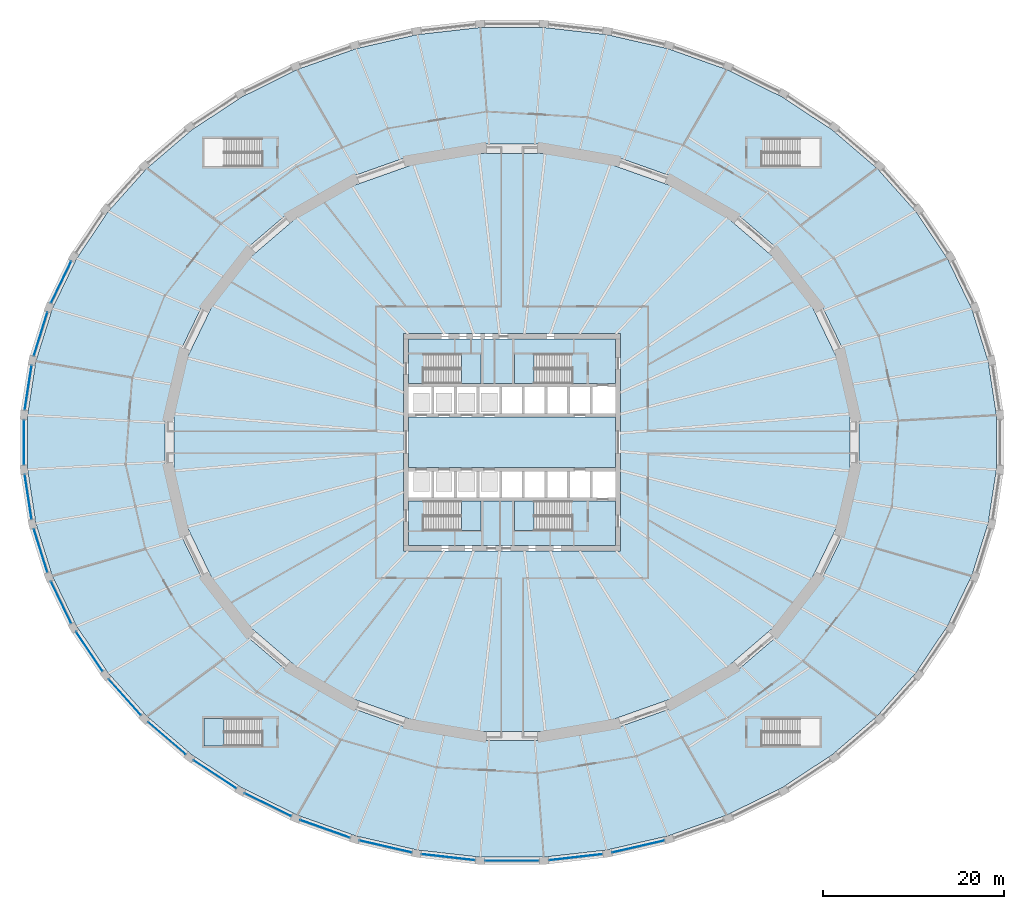
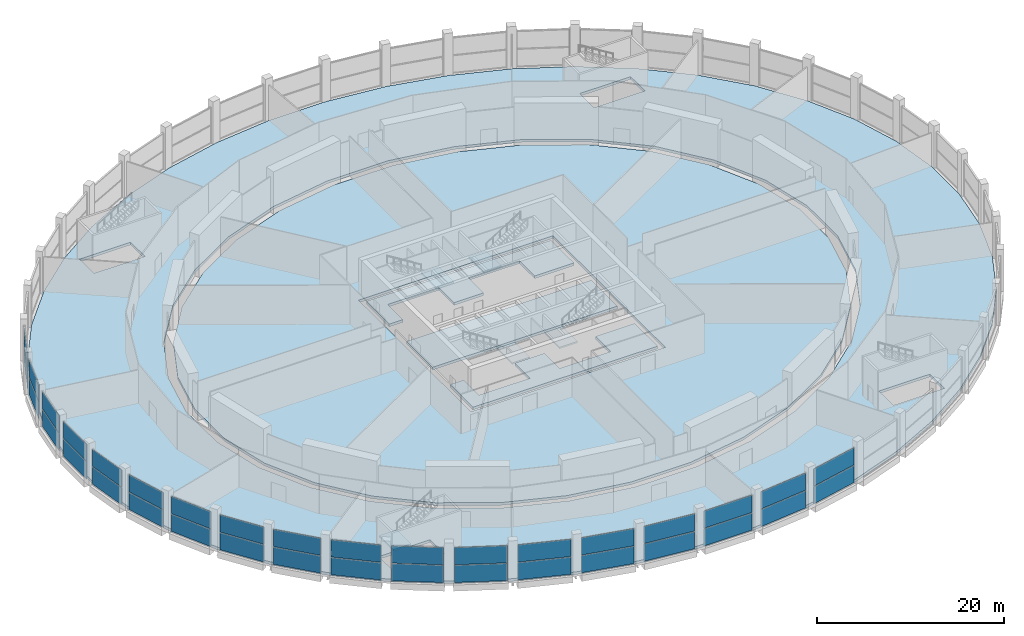
# One storey, part 17 of 29: 36 plates, 10 slabs, 23 elements without a shape of their own.
"""IFC4 building model written with IfcOpenShell, lengths in metres."""

from ifc_helpers import new_model, si_unit, direction, frame, origin, origin_2d, place, context, subcontext, project, spatial, polyline, rectangle, outline, extrude, material, layer, layer_set, type_object, element, aggregate, save


model = new_model("IFC4")

# Units and contexts
model_context = context("Model", 3, precision=1e-05, world=origin(), true_north=direction((0.0, 1.0)))
body_context = subcontext(model_context, "Body", "Model", "MODEL_VIEW")
ifc_project = project(units=[si_unit("LENGTHUNIT", "METRE"), si_unit("AREAUNIT", "SQUARE_METRE"), si_unit("VOLUMEUNIT", "CUBIC_METRE"), si_unit("PLANEANGLEUNIT", "RADIAN"), si_unit("MASSUNIT", "GRAM", prefix="KILO")], contexts=[model_context])

# Site, building, storey
site_placement = place(None, origin())
site = spatial("IfcSite", under=ifc_project, at=site_placement, CompositionType="ELEMENT")
building_placement = place(site_placement, origin())
building = spatial("IfcBuilding", under=site, at=building_placement, Name="Halqa Exchange Tower", CompositionType="ELEMENT")
storey_placement = place(building_placement, frame((0.0, 0.0, 12.5)))
storey = spatial("IfcBuildingStorey", under=building, at=storey_placement, Name="L02", CompositionType="ELEMENT", Elevation=12.5)

# Slabs
ifc_material_1 = material(Name="Concrete C60/75", Category="concrete")
ifc_layer_1 = layer(ifc_material_1, 0.35009765625)
ifc_layer_set_1 = layer_set([ifc_layer_1], Name="Concrete C60/75")
slab_type_1 = type_object("IfcSlabType", Name="Core floor slab 350", PredefinedType="FLOOR", material=ifc_layer_set_1)
slab_1_placement = place(storey_placement, frame((0.0, 0.0, -0.35009765625)))
element("IfcSlab", 1, at=slab_1_placement, inside=storey, type_object=slab_type_1, Name="Core floor slab", PredefinedType="FLOOR", context=body_context, shape_type="SweptSolid", body=[
    extrude(outline(polyline([(-11.39990234375, 2.800048828125), (11.39990234375, 2.800048828125), (11.39990234375, -2.800048828125), (-11.39990234375, -2.800048828125), (-11.39990234375, 2.800048828125)])), origin(), (0.0, 0.0, 1.0), 0.35009765625),
])
slab_2_placement = place(storey_placement, frame((0.0, 0.0, -0.35009765625)))
element("IfcSlab", 2, at=slab_2_placement, inside=storey, type_object=slab_type_1, Name="Core floor slab", PredefinedType="FLOOR", context=body_context, shape_type="SweptSolid", body=[
    extrude(outline(polyline([(-11.39990234375, 11.39990234375), (11.39990234375, 11.39990234375), (11.39990234375, 6.5), (6.550048828125, 6.5), (6.550048828125, 9.75), (0.25, 9.75), (0.25, 6.5), (-3.39990234375, 6.5), (-3.39990234375, 9.75), (-9.699951171875, 9.75), (-9.699951171875, 6.5), (-11.39990234375, 6.5), (-11.39990234375, 11.39990234375)])), origin(), (0.0, 0.0, 1.0), 0.35009765625),
])
slab_3_placement = place(storey_placement, frame((0.0, 0.0, -0.35009765625)))
element("IfcSlab", 3, at=slab_3_placement, inside=storey, type_object=slab_type_1, Name="Core floor slab", PredefinedType="FLOOR", context=body_context, shape_type="SweptSolid", body=[
    extrude(outline(polyline([(-9.699951171875, -9.75), (-3.39990234375, -9.75), (-3.39990234375, -6.5), (0.25, -6.5), (0.25, -9.75), (6.550048828125, -9.75), (6.550048828125, -6.5), (11.39990234375, -6.5), (11.39990234375, -11.39990234375), (-11.39990234375, -11.39990234375), (-11.39990234375, -6.5), (-9.699951171875, -6.5), (-9.699951171875, -9.75)])), origin(), (0.0, 0.0, 1.0), 0.35009765625),
])

# Curtain wall, plates
ifc_material_2 = material(Name="Anodised aluminium and clear glass", Category="aluminium")
curtain_wall_type = type_object("IfcCurtainWallType", Name="Exchange hall glazing", PredefinedType="NOTDEFINED", material=ifc_material_2)
curtain_wall_1_placement = place(storey_placement, origin())
curtain_wall_1 = element("IfcCurtainWall", 4, at=curtain_wall_1_placement, inside=storey, type_object=curtain_wall_type, Name="Exchange hall glazing run P21", PredefinedType="NOTDEFINED")
ifc_material_3 = material(Name="Clear glass", Category="glass")
ifc_layer_2 = layer(ifc_material_3, 0.035888671875)
ifc_layer_set_2 = layer_set([ifc_layer_2], Name="Clear glass")
plate_type = type_object("IfcPlateType", Name="Laminated clear glass panel 36", PredefinedType="CURTAIN_PANEL", material=ifc_layer_set_2)
plate_1_placement = place(storey_placement, frame((-49.78271484375, 17.680419921875, 0.06982421875), z_axis=(0.0, 0.0, 1.0), x_axis=(-0.434989864727, -0.90043534892, 0.0)))
plate_1 = element("IfcPlate", 5, at=plate_1_placement, type_object=plate_type, Name="P21 panel 1.1", PredefinedType="CURTAIN_PANEL", context=body_context, shape_type="SweptSolid", body=[
    extrude(rectangle(XDim=5.07421875, YDim=0.035888671875, at=origin_2d()), origin(), (0.0, 0.0, 1.0), 2.2451171875),
])
plate_2_placement = place(storey_placement, frame((-49.78271484375, 17.680419921875, 2.385009765625), z_axis=(0.0, 0.0, 1.0), x_axis=(-0.434989864727, -0.90043534892, 0.0)))
plate_2 = element("IfcPlate", 6, at=plate_2_placement, type_object=plate_type, Name="P21 panel 1.2", PredefinedType="CURTAIN_PANEL", context=body_context, shape_type="SweptSolid", body=[
    extrude(rectangle(XDim=5.07421875, YDim=0.035888671875, at=origin_2d()), origin(), (0.0, 0.0, 1.0), 2.2451171875),
])
aggregate(curtain_wall_1, [plate_1, plate_2])

curtain_wall_2_placement = place(storey_placement, origin())
curtain_wall_2 = element("IfcCurtainWall", 7, at=curtain_wall_2_placement, inside=storey, type_object=curtain_wall_type, Name="Exchange hall glazing run P22", PredefinedType="NOTDEFINED")
plate_3_placement = place(storey_placement, frame((-52.04833984375, 11.957763671875, 0.06982421875), z_axis=(0.0, 0.0, 1.0), x_axis=(-0.298302746613, -0.95447130463, 0.0)))
plate_3 = element("IfcPlate", 8, at=plate_3_placement, type_object=plate_type, Name="P22 panel 1.1", PredefinedType="CURTAIN_PANEL", context=body_context, shape_type="SweptSolid", body=[
    extrude(rectangle(XDim=4.989013671875, YDim=0.035888671875, at=origin_2d()), origin(), (0.0, 0.0, 1.0), 2.2451171875),
])
plate_4_placement = place(storey_placement, frame((-52.04833984375, 11.957763671875, 2.385009765625), z_axis=(0.0, 0.0, 1.0), x_axis=(-0.298302746613, -0.95447130463, 0.0)))
plate_4 = element("IfcPlate", 9, at=plate_4_placement, type_object=plate_type, Name="P22 panel 1.2", PredefinedType="CURTAIN_PANEL", context=body_context, shape_type="SweptSolid", body=[
    extrude(rectangle(XDim=4.989013671875, YDim=0.035888671875, at=origin_2d()), origin(), (0.0, 0.0, 1.0), 2.2451171875),
])
aggregate(curtain_wall_2, [plate_3, plate_4])

curtain_wall_3_placement = place(storey_placement, origin())
curtain_wall_3 = element("IfcCurtainWall", 10, at=curtain_wall_3_placement, inside=storey, type_object=curtain_wall_type, Name="Exchange hall glazing run P23", PredefinedType="NOTDEFINED")
plate_5_placement = place(storey_placement, frame((-53.42333984375, 6.030517578125, 0.06982421875), z_axis=(0.0, 0.0, 1.0), x_axis=(-0.151766957898, -0.988416304241, 0.0)))
plate_5 = element("IfcPlate", 11, at=plate_5_placement, type_object=plate_type, Name="P23 panel 1.1", PredefinedType="CURTAIN_PANEL", context=body_context, shape_type="SweptSolid", body=[
    extrude(rectangle(XDim=4.934814453125, YDim=0.035888671875, at=origin_2d()), origin(), (0.0, 0.0, 1.0), 2.2451171875),
])
plate_6_placement = place(storey_placement, frame((-53.42333984375, 6.030517578125, 2.385009765625), z_axis=(0.0, 0.0, 1.0), x_axis=(-0.151766957898, -0.988416304241, 0.0)))
plate_6 = element("IfcPlate", 12, at=plate_6_placement, type_object=plate_type, Name="P23 panel 1.2", PredefinedType="CURTAIN_PANEL", context=body_context, shape_type="SweptSolid", body=[
    extrude(rectangle(XDim=4.934814453125, YDim=0.035888671875, at=origin_2d()), origin(), (0.0, 0.0, 1.0), 2.2451171875),
])
aggregate(curtain_wall_3, [plate_5, plate_6])

curtain_wall_4_placement = place(storey_placement, origin())
curtain_wall_4 = element("IfcCurtainWall", 13, at=curtain_wall_4_placement, inside=storey, type_object=curtain_wall_type, Name="Exchange hall glazing run P24", PredefinedType="NOTDEFINED")
plate_7_placement = place(storey_placement, frame((-53.884521484375, 0.0, 0.06982421875), z_axis=(0.0, 0.0, 1.0), x_axis=(0.0, -1.0, 0.0)))
plate_7 = element("IfcPlate", 14, at=plate_7_placement, type_object=plate_type, Name="P24 panel 1.1", PredefinedType="CURTAIN_PANEL", context=body_context, shape_type="SweptSolid", body=[
    extrude(rectangle(XDim=4.91650390625, YDim=0.035888671875, at=origin_2d()), origin(), (0.0, 0.0, 1.0), 2.2451171875),
])
plate_8_placement = place(storey_placement, frame((-53.884521484375, 0.0, 2.385009765625), z_axis=(0.0, 0.0, 1.0), x_axis=(0.0, -1.0, 0.0)))
plate_8 = element("IfcPlate", 15, at=plate_8_placement, type_object=plate_type, Name="P24 panel 1.2", PredefinedType="CURTAIN_PANEL", context=body_context, shape_type="SweptSolid", body=[
    extrude(rectangle(XDim=4.91650390625, YDim=0.035888671875, at=origin_2d()), origin(), (0.0, 0.0, 1.0), 2.2451171875),
])
aggregate(curtain_wall_4, [plate_7, plate_8])

curtain_wall_5_placement = place(storey_placement, origin())
curtain_wall_5 = element("IfcCurtainWall", 16, at=curtain_wall_5_placement, inside=storey, type_object=curtain_wall_type, Name="Exchange hall glazing run P25", PredefinedType="NOTDEFINED")
plate_9_placement = place(storey_placement, frame((-53.42333984375, -6.030517578125, 0.06982421875), z_axis=(0.0, 0.0, 1.0), x_axis=(0.151766957898, -0.988416304241, 0.0)))
plate_9 = element("IfcPlate", 17, at=plate_9_placement, type_object=plate_type, Name="P25 panel 1.1", PredefinedType="CURTAIN_PANEL", context=body_context, shape_type="SweptSolid", body=[
    extrude(rectangle(XDim=4.934814453125, YDim=0.035888671875, at=origin_2d()), origin(), (0.0, 0.0, 1.0), 2.2451171875),
])
plate_10_placement = place(storey_placement, frame((-53.42333984375, -6.030517578125, 2.385009765625), z_axis=(0.0, 0.0, 1.0), x_axis=(0.151766957898, -0.988416304241, 0.0)))
plate_10 = element("IfcPlate", 18, at=plate_10_placement, type_object=plate_type, Name="P25 panel 1.2", PredefinedType="CURTAIN_PANEL", context=body_context, shape_type="SweptSolid", body=[
    extrude(rectangle(XDim=4.934814453125, YDim=0.035888671875, at=origin_2d()), origin(), (0.0, 0.0, 1.0), 2.2451171875),
])
aggregate(curtain_wall_5, [plate_9, plate_10])

curtain_wall_6_placement = place(storey_placement, origin())
curtain_wall_6 = element("IfcCurtainWall", 19, at=curtain_wall_6_placement, inside=storey, type_object=curtain_wall_type, Name="Exchange hall glazing run P26", PredefinedType="NOTDEFINED")
plate_11_placement = place(storey_placement, frame((-52.04833984375, -11.957763671875, 0.06982421875), z_axis=(0.0, 0.0, 1.0), x_axis=(0.298302746613, -0.95447130463, 0.0)))
plate_11 = element("IfcPlate", 20, at=plate_11_placement, type_object=plate_type, Name="P26 panel 1.1", PredefinedType="CURTAIN_PANEL", context=body_context, shape_type="SweptSolid", body=[
    extrude(rectangle(XDim=4.989013671875, YDim=0.035888671875, at=origin_2d()), origin(), (0.0, 0.0, 1.0), 2.2451171875),
])
plate_12_placement = place(storey_placement, frame((-52.04833984375, -11.957763671875, 2.385009765625), z_axis=(0.0, 0.0, 1.0), x_axis=(0.298302746613, -0.95447130463, 0.0)))
plate_12 = element("IfcPlate", 21, at=plate_12_placement, type_object=plate_type, Name="P26 panel 1.2", PredefinedType="CURTAIN_PANEL", context=body_context, shape_type="SweptSolid", body=[
    extrude(rectangle(XDim=4.989013671875, YDim=0.035888671875, at=origin_2d()), origin(), (0.0, 0.0, 1.0), 2.2451171875),
])
aggregate(curtain_wall_6, [plate_11, plate_12])

curtain_wall_7_placement = place(storey_placement, origin())
curtain_wall_7 = element("IfcCurtainWall", 22, at=curtain_wall_7_placement, inside=storey, type_object=curtain_wall_type, Name="Exchange hall glazing run P27", PredefinedType="NOTDEFINED")
plate_13_placement = place(storey_placement, frame((-49.78271484375, -17.680419921875, 0.06982421875), z_axis=(0.0, 0.0, 1.0), x_axis=(0.434989864727, -0.90043534892, 0.0)))
plate_13 = element("IfcPlate", 23, at=plate_13_placement, type_object=plate_type, Name="P27 panel 1.1", PredefinedType="CURTAIN_PANEL", context=body_context, shape_type="SweptSolid", body=[
    extrude(rectangle(XDim=5.07421875, YDim=0.035888671875, at=origin_2d()), origin(), (0.0, 0.0, 1.0), 2.2451171875),
])
plate_14_placement = place(storey_placement, frame((-49.78271484375, -17.680419921875, 2.385009765625), z_axis=(0.0, 0.0, 1.0), x_axis=(0.434989864727, -0.90043534892, 0.0)))
plate_14 = element("IfcPlate", 24, at=plate_14_placement, type_object=plate_type, Name="P27 panel 1.2", PredefinedType="CURTAIN_PANEL", context=body_context, shape_type="SweptSolid", body=[
    extrude(rectangle(XDim=5.07421875, YDim=0.035888671875, at=origin_2d()), origin(), (0.0, 0.0, 1.0), 2.2451171875),
])
aggregate(curtain_wall_7, [plate_13, plate_14])

curtain_wall_8_placement = place(storey_placement, origin())
curtain_wall_8 = element("IfcCurtainWall", 25, at=curtain_wall_8_placement, inside=storey, type_object=curtain_wall_type, Name="Exchange hall glazing run P28", PredefinedType="NOTDEFINED")
plate_15_placement = place(storey_placement, frame((-46.665283203125, -23.100341796875, 0.06982421875), z_axis=(0.0, 0.0, 1.0), x_axis=(0.55852230535, -0.8294895023, 0.0)))
plate_15 = element("IfcPlate", 26, at=plate_15_placement, type_object=plate_type, Name="P28 panel 1.1", PredefinedType="CURTAIN_PANEL", context=body_context, shape_type="SweptSolid", body=[
    extrude(rectangle(XDim=5.18310546875, YDim=0.035888671875, at=origin_2d()), origin(), (0.0, 0.0, 1.0), 2.2451171875),
])
plate_16_placement = place(storey_placement, frame((-46.665283203125, -23.100341796875, 2.385009765625), z_axis=(0.0, 0.0, 1.0), x_axis=(0.55852230535, -0.8294895023, 0.0)))
plate_16 = element("IfcPlate", 27, at=plate_16_placement, type_object=plate_type, Name="P28 panel 1.2", PredefinedType="CURTAIN_PANEL", context=body_context, shape_type="SweptSolid", body=[
    extrude(rectangle(XDim=5.18310546875, YDim=0.035888671875, at=origin_2d()), origin(), (0.0, 0.0, 1.0), 2.2451171875),
])
aggregate(curtain_wall_8, [plate_15, plate_16])

curtain_wall_9_placement = place(storey_placement, origin())
curtain_wall_9 = element("IfcCurtainWall", 28, at=curtain_wall_9_placement, inside=storey, type_object=curtain_wall_type, Name="Exchange hall glazing run P29", PredefinedType="NOTDEFINED")
plate_17_placement = place(storey_placement, frame((-42.749267578125, -28.125244140625, 0.06982421875), z_axis=(0.0, 0.0, 1.0), x_axis=(0.666899477539, -0.74514769466, 0.0)))
plate_17 = element("IfcPlate", 29, at=plate_17_placement, type_object=plate_type, Name="P29 panel 1.1", PredefinedType="CURTAIN_PANEL", context=body_context, shape_type="SweptSolid", body=[
    extrude(rectangle(XDim=5.30810546875, YDim=0.035888671875, at=origin_2d()), origin(), (0.0, 0.0, 1.0), 2.2451171875),
])
plate_18_placement = place(storey_placement, frame((-42.749267578125, -28.125244140625, 2.385009765625), z_axis=(0.0, 0.0, 1.0), x_axis=(0.666899477539, -0.74514769466, 0.0)))
plate_18 = element("IfcPlate", 30, at=plate_18_placement, type_object=plate_type, Name="P29 panel 1.2", PredefinedType="CURTAIN_PANEL", context=body_context, shape_type="SweptSolid", body=[
    extrude(rectangle(XDim=5.30810546875, YDim=0.035888671875, at=origin_2d()), origin(), (0.0, 0.0, 1.0), 2.2451171875),
])
aggregate(curtain_wall_9, [plate_17, plate_18])

curtain_wall_10_placement = place(storey_placement, origin())
curtain_wall_10 = element("IfcCurtainWall", 31, at=curtain_wall_10_placement, inside=storey, type_object=curtain_wall_type, Name="Exchange hall glazing run P30", PredefinedType="NOTDEFINED")
plate_19_placement = place(storey_placement, frame((-38.10205078125, -32.6689453125, 0.06982421875), z_axis=(0.0, 0.0, 1.0), x_axis=(0.759154109704, -0.650910929175, 0.0)))
plate_19 = element("IfcPlate", 32, at=plate_19_placement, type_object=plate_type, Name="P30 panel 1.1", PredefinedType="CURTAIN_PANEL", context=body_context, shape_type="SweptSolid", body=[
    extrude(rectangle(XDim=5.439208984375, YDim=0.035888671875, at=origin_2d()), origin(), (0.0, 0.0, 1.0), 2.2451171875),
])
plate_20_placement = place(storey_placement, frame((-38.10205078125, -32.6689453125, 2.385009765625), z_axis=(0.0, 0.0, 1.0), x_axis=(0.759154109704, -0.650910929175, 0.0)))
plate_20 = element("IfcPlate", 33, at=plate_20_placement, type_object=plate_type, Name="P30 panel 1.2", PredefinedType="CURTAIN_PANEL", context=body_context, shape_type="SweptSolid", body=[
    extrude(rectangle(XDim=5.439208984375, YDim=0.035888671875, at=origin_2d()), origin(), (0.0, 0.0, 1.0), 2.2451171875),
])
aggregate(curtain_wall_10, [plate_19, plate_20])

curtain_wall_11_placement = place(storey_placement, origin())
curtain_wall_11 = element("IfcCurtainWall", 34, at=curtain_wall_11_placement, inside=storey, type_object=curtain_wall_type, Name="Exchange hall glazing run P31", PredefinedType="NOTDEFINED")
plate_21_placement = place(storey_placement, frame((-32.802734375, -36.653564453125, 0.06982421875), z_axis=(0.0, 0.0, 1.0), x_axis=(0.835414753652, -0.549620040919, 0.0)))
plate_21 = element("IfcPlate", 35, at=plate_21_placement, type_object=plate_type, Name="P31 panel 1.1", PredefinedType="CURTAIN_PANEL", context=body_context, shape_type="SweptSolid", body=[
    extrude(rectangle(XDim=5.56787109375, YDim=0.035888671875, at=origin_2d()), origin(), (0.0, 0.0, 1.0), 2.2451171875),
])
plate_22_placement = place(storey_placement, frame((-32.802734375, -36.653564453125, 2.385009765625), z_axis=(0.0, 0.0, 1.0), x_axis=(0.835414753652, -0.549620040919, 0.0)))
plate_22 = element("IfcPlate", 36, at=plate_22_placement, type_object=plate_type, Name="P31 panel 1.2", PredefinedType="CURTAIN_PANEL", context=body_context, shape_type="SweptSolid", body=[
    extrude(rectangle(XDim=5.56787109375, YDim=0.035888671875, at=origin_2d()), origin(), (0.0, 0.0, 1.0), 2.2451171875),
])
aggregate(curtain_wall_11, [plate_21, plate_22])

curtain_wall_12_placement = place(storey_placement, origin())
curtain_wall_12 = element("IfcCurtainWall", 37, at=curtain_wall_12_placement, inside=storey, type_object=curtain_wall_type, Name="Exchange hall glazing run P32", PredefinedType="NOTDEFINED")
plate_23_placement = place(storey_placement, frame((-26.942138671875, -40.010986328125, 0.06982421875), z_axis=(0.0, 0.0, 1.0), x_axis=(0.896198440934, -0.443653417058, 0.0)))
plate_23 = element("IfcPlate", 38, at=plate_23_placement, type_object=plate_type, Name="P32 panel 1.1", PredefinedType="CURTAIN_PANEL", context=body_context, shape_type="SweptSolid", body=[
    extrude(rectangle(XDim=5.685791015625, YDim=0.035888671875, at=origin_2d()), origin(), (0.0, 0.0, 1.0), 2.2451171875),
])
plate_24_placement = place(storey_placement, frame((-26.942138671875, -40.010986328125, 2.385009765625), z_axis=(0.0, 0.0, 1.0), x_axis=(0.896198440934, -0.443653417058, 0.0)))
plate_24 = element("IfcPlate", 39, at=plate_24_placement, type_object=plate_type, Name="P32 panel 1.2", PredefinedType="CURTAIN_PANEL", context=body_context, shape_type="SweptSolid", body=[
    extrude(rectangle(XDim=5.685791015625, YDim=0.035888671875, at=origin_2d()), origin(), (0.0, 0.0, 1.0), 2.2451171875),
])
aggregate(curtain_wall_12, [plate_23, plate_24])

curtain_wall_13_placement = place(storey_placement, origin())
curtain_wall_13 = element("IfcCurtainWall", 40, at=curtain_wall_13_placement, inside=storey, type_object=curtain_wall_type, Name="Exchange hall glazing run P33", PredefinedType="NOTDEFINED")
plate_25_placement = place(storey_placement, frame((-20.62060546875, -42.68408203125, 0.06982421875), z_axis=(0.0, 0.0, 1.0), x_axis=(0.942328875444, -0.334688348326, 0.0)))
plate_25 = element("IfcPlate", 41, at=plate_25_placement, type_object=plate_type, Name="P33 panel 1.1", PredefinedType="CURTAIN_PANEL", context=body_context, shape_type="SweptSolid", body=[
    extrude(rectangle(XDim=5.78515625, YDim=0.035888671875, at=origin_2d()), origin(), (0.0, 0.0, 1.0), 2.2451171875),
])
plate_26_placement = place(storey_placement, frame((-20.62060546875, -42.68408203125, 2.385009765625), z_axis=(0.0, 0.0, 1.0), x_axis=(0.942328875444, -0.334688348326, 0.0)))
plate_26 = element("IfcPlate", 42, at=plate_26_placement, type_object=plate_type, Name="P33 panel 1.2", PredefinedType="CURTAIN_PANEL", context=body_context, shape_type="SweptSolid", body=[
    extrude(rectangle(XDim=5.78515625, YDim=0.035888671875, at=origin_2d()), origin(), (0.0, 0.0, 1.0), 2.2451171875),
])
aggregate(curtain_wall_13, [plate_25, plate_26])

curtain_wall_14_placement = place(storey_placement, origin())
curtain_wall_14 = element("IfcCurtainWall", 43, at=curtain_wall_14_placement, inside=storey, type_object=curtain_wall_type, Name="Exchange hall glazing run P34", PredefinedType="NOTDEFINED")
plate_27_placement = place(storey_placement, frame((-13.9462890625, -44.626708984375, 0.06982421875), z_axis=(0.0, 0.0, 1.0), x_axis=(0.974612891234, -0.223896655269, 0.0)))
plate_27 = element("IfcPlate", 44, at=plate_27_placement, type_object=plate_type, Name="P34 panel 1.1", PredefinedType="CURTAIN_PANEL", context=body_context, shape_type="SweptSolid", body=[
    extrude(rectangle(XDim=5.860595703125, YDim=0.035888671875, at=origin_2d()), origin(), (0.0, 0.0, 1.0), 2.2451171875),
])
plate_28_placement = place(storey_placement, frame((-13.9462890625, -44.626708984375, 2.385009765625), z_axis=(0.0, 0.0, 1.0), x_axis=(0.974612891234, -0.223896655269, 0.0)))
plate_28 = element("IfcPlate", 45, at=plate_28_placement, type_object=plate_type, Name="P34 panel 1.2", PredefinedType="CURTAIN_PANEL", context=body_context, shape_type="SweptSolid", body=[
    extrude(rectangle(XDim=5.860595703125, YDim=0.035888671875, at=origin_2d()), origin(), (0.0, 0.0, 1.0), 2.2451171875),
])
aggregate(curtain_wall_14, [plate_27, plate_28])

curtain_wall_15_placement = place(storey_placement, origin())
curtain_wall_15 = element("IfcCurtainWall", 46, at=curtain_wall_15_placement, inside=storey, type_object=curtain_wall_type, Name="Exchange hall glazing run P35", PredefinedType="NOTDEFINED")
plate_29_placement = place(storey_placement, frame((-7.033447265625, -45.8056640625, 0.06982421875), z_axis=(0.0, 0.0, 1.0), x_axis=(0.993690261872, -0.112159098874, 0.0)))
plate_29 = element("IfcPlate", 47, at=plate_29_placement, type_object=plate_type, Name="P35 panel 1.1", PredefinedType="CURTAIN_PANEL", context=body_context, shape_type="SweptSolid", body=[
    extrude(rectangle(XDim=5.90771484375, YDim=0.035888671875, at=origin_2d()), origin(), (0.0, 0.0, 1.0), 2.2451171875),
])
plate_30_placement = place(storey_placement, frame((-7.033447265625, -45.8056640625, 2.385009765625), z_axis=(0.0, 0.0, 1.0), x_axis=(0.993690261872, -0.112159098874, 0.0)))
plate_30 = element("IfcPlate", 48, at=plate_30_placement, type_object=plate_type, Name="P35 panel 1.2", PredefinedType="CURTAIN_PANEL", context=body_context, shape_type="SweptSolid", body=[
    extrude(rectangle(XDim=5.90771484375, YDim=0.035888671875, at=origin_2d()), origin(), (0.0, 0.0, 1.0), 2.2451171875),
])
aggregate(curtain_wall_15, [plate_29, plate_30])

curtain_wall_16_placement = place(storey_placement, origin())
curtain_wall_16 = element("IfcCurtainWall", 49, at=curtain_wall_16_placement, inside=storey, type_object=curtain_wall_type, Name="Exchange hall glazing run P36", PredefinedType="NOTDEFINED")
plate_31_placement = place(storey_placement, frame((0.0, -46.200927734375, 0.06982421875), z_axis=(0.0, 0.0, 1.0), x_axis=(1.0, 0.0, 0.0)))
plate_31 = element("IfcPlate", 50, at=plate_31_placement, type_object=plate_type, Name="P36 panel 1.1", PredefinedType="CURTAIN_PANEL", context=body_context, shape_type="SweptSolid", body=[
    extrude(rectangle(XDim=5.923583984375, YDim=0.035888671875, at=origin_2d()), origin(), (0.0, 0.0, 1.0), 2.2451171875),
])
plate_32_placement = place(storey_placement, frame((0.0, -46.200927734375, 2.385009765625), z_axis=(0.0, 0.0, 1.0), x_axis=(1.0, 0.0, 0.0)))
plate_32 = element("IfcPlate", 51, at=plate_32_placement, type_object=plate_type, Name="P36 panel 1.2", PredefinedType="CURTAIN_PANEL", context=body_context, shape_type="SweptSolid", body=[
    extrude(rectangle(XDim=5.923583984375, YDim=0.035888671875, at=origin_2d()), origin(), (0.0, 0.0, 1.0), 2.2451171875),
])
aggregate(curtain_wall_16, [plate_31, plate_32])

curtain_wall_17_placement = place(storey_placement, origin())
curtain_wall_17 = element("IfcCurtainWall", 52, at=curtain_wall_17_placement, inside=storey, type_object=curtain_wall_type, Name="Exchange hall glazing run P37", PredefinedType="NOTDEFINED")
plate_33_placement = place(storey_placement, frame((7.033447265625, -45.8056640625, 0.06982421875), z_axis=(0.0, 0.0, 1.0), x_axis=(0.993690261872, 0.112159098874, 0.0)))
plate_33 = element("IfcPlate", 53, at=plate_33_placement, type_object=plate_type, Name="P37 panel 1.1", PredefinedType="CURTAIN_PANEL", context=body_context, shape_type="SweptSolid", body=[
    extrude(rectangle(XDim=5.90771484375, YDim=0.035888671875, at=origin_2d()), origin(), (0.0, 0.0, 1.0), 2.2451171875),
])
plate_34_placement = place(storey_placement, frame((7.033447265625, -45.8056640625, 2.385009765625), z_axis=(0.0, 0.0, 1.0), x_axis=(0.993690261872, 0.112159098874, 0.0)))
plate_34 = element("IfcPlate", 54, at=plate_34_placement, type_object=plate_type, Name="P37 panel 1.2", PredefinedType="CURTAIN_PANEL", context=body_context, shape_type="SweptSolid", body=[
    extrude(rectangle(XDim=5.90771484375, YDim=0.035888671875, at=origin_2d()), origin(), (0.0, 0.0, 1.0), 2.2451171875),
])
aggregate(curtain_wall_17, [plate_33, plate_34])

curtain_wall_18_placement = place(storey_placement, origin())
curtain_wall_18 = element("IfcCurtainWall", 55, at=curtain_wall_18_placement, inside=storey, type_object=curtain_wall_type, Name="Exchange hall glazing run P38", PredefinedType="NOTDEFINED")
plate_35_placement = place(storey_placement, frame((13.9462890625, -44.626708984375, 0.06982421875), z_axis=(0.0, 0.0, 1.0), x_axis=(0.974612891234, 0.223896655269, 0.0)))
plate_35 = element("IfcPlate", 56, at=plate_35_placement, type_object=plate_type, Name="P38 panel 1.1", PredefinedType="CURTAIN_PANEL", context=body_context, shape_type="SweptSolid", body=[
    extrude(rectangle(XDim=5.860595703125, YDim=0.035888671875, at=origin_2d()), origin(), (0.0, 0.0, 1.0), 2.2451171875),
])
plate_36_placement = place(storey_placement, frame((13.9462890625, -44.626708984375, 2.385009765625), z_axis=(0.0, 0.0, 1.0), x_axis=(0.974612891234, 0.223896655269, 0.0)))
plate_36 = element("IfcPlate", 57, at=plate_36_placement, type_object=plate_type, Name="P38 panel 1.2", PredefinedType="CURTAIN_PANEL", context=body_context, shape_type="SweptSolid", body=[
    extrude(rectangle(XDim=5.860595703125, YDim=0.035888671875, at=origin_2d()), origin(), (0.0, 0.0, 1.0), 2.2451171875),
])
aggregate(curtain_wall_18, [plate_35, plate_36])

# Slabs
ifc_material_4 = material(Name="Concrete C40/50", Category="concrete")
ifc_layer_3 = layer(ifc_material_4, 0.35009765625)
ifc_layer_set_3 = layer_set([ifc_layer_3], Name="Concrete C40/50")
slab_type_2 = type_object("IfcSlabType", Name="RC floor slab 350", PredefinedType="FLOOR", material=ifc_layer_set_3)
slab_4_placement = place(storey_placement, frame((0.0, 0.0, -0.35009765625)))
element("IfcSlab", 58, at=slab_4_placement, inside=storey, type_object=slab_type_2, Name="Floor slab", PredefinedType="FLOOR", context=body_context, shape_type="SweptSolid", body=[
    extrude(outline(polyline([(37.31689453125, 3.13525390625), (37.31689453125, -3.13525390625), (35.88916015625, -9.28759765625), (33.0859375, -15.088623046875), (29.010986328125, -20.316162109375), (23.8173828125, -24.767578125), (17.70361328125, -28.269287109375), (10.904296875, -30.683349609375), (3.682373046875, -31.91455078125), (-3.682373046875, -31.91455078125), (-10.904296875, -30.683349609375), (-17.70361328125, -28.269287109375), (-23.8173828125, -24.767578125), (-29.010986328125, -20.316162109375), (-33.0859375, -15.088623046875), (-35.88916015625, -9.28759765625), (-37.31689453125, -3.13525390625), (-37.31689453125, 3.13525390625), (-35.88916015625, 9.28759765625), (-33.0859375, 15.088623046875), (-29.010986328125, 20.316162109375), (-23.8173828125, 24.767578125), (-17.70361328125, 28.269287109375), (-10.904296875, 30.683349609375), (-3.682373046875, 31.91455078125), (3.682373046875, 31.91455078125), (10.904296875, 30.683349609375), (17.70361328125, 28.269287109375), (23.8173828125, 24.767578125), (29.010986328125, 20.316162109375), (33.0859375, 15.088623046875), (35.88916015625, 9.28759765625), (37.31689453125, 3.13525390625)]), holes=[polyline([(-12.0, -12.0), (12.0, -12.0), (12.0, 12.0), (-12.0, 12.0), (-12.0, -12.0)])]), origin(), (0.0, 0.0, 1.0), 0.35009765625),
])
slab_5_placement = place(storey_placement, frame((0.0, 0.0, -0.35009765625)))
element("IfcSlab", 59, at=slab_5_placement, inside=storey, type_object=slab_type_2, Name="Podium floor slab", PredefinedType="FLOOR", context=body_context, shape_type="SweptSolid", body=[
    extrude(outline(polyline([(53.484375, 2.997802734375), (53.484375, -2.997802734375), (52.571533203125, -8.942138671875), (50.76123046875, -14.735107421875), (48.08349609375, -20.2783203125), (44.5830078125, -25.476806640625), (40.31884765625, -30.2412109375), (35.363525390625, -34.489990234375), (29.801513671875, -38.1494140625), (23.727294921875, -41.15625), (17.24560546875, -43.458251953125), (10.467529296875, -45.015380859375), (3.50927734375, -45.80078125), (-3.50927734375, -45.80078125), (-10.467529296875, -45.015380859375), (-17.24560546875, -43.458251953125), (-23.727294921875, -41.15625), (-29.801513671875, -38.1494140625), (-35.363525390625, -34.489990234375), (-40.31884765625, -30.2412109375), (-44.5830078125, -25.476806640625), (-48.08349609375, -20.2783203125), (-50.76123046875, -14.735107421875), (-52.571533203125, -8.942138671875), (-53.484375, -2.997802734375), (-53.484375, 2.997802734375), (-52.571533203125, 8.942138671875), (-50.76123046875, 14.735107421875), (-48.08349609375, 20.2783203125), (-44.5830078125, 25.476806640625), (-40.31884765625, 30.2412109375), (-35.363525390625, 34.489990234375), (-29.801513671875, 38.1494140625), (-23.727294921875, 41.15625), (-17.24560546875, 43.458251953125), (-10.467529296875, 45.015380859375), (-3.50927734375, 45.80078125), (3.50927734375, 45.80078125), (10.467529296875, 45.015380859375), (17.24560546875, 43.458251953125), (23.727294921875, 41.15625), (29.801513671875, 38.1494140625), (35.363525390625, 34.489990234375), (40.31884765625, 30.2412109375), (44.5830078125, 25.476806640625), (48.08349609375, 20.2783203125), (50.76123046875, 14.735107421875), (52.571533203125, 8.942138671875), (53.484375, 2.997802734375)]), holes=[polyline([(38.31689453125, 3.25), (38.31689453125, -3.25), (36.838134765625, -9.622314453125), (33.93994140625, -15.619384765625), (29.73779296875, -21.010009765625), (24.396484375, -25.58837890625), (18.122802734375, -29.181640625), (11.157470703125, -31.654541015625), (3.76708984375, -32.91455078125), (-3.76708984375, -32.91455078125), (-11.157470703125, -31.654541015625), (-18.122802734375, -29.181640625), (-24.396484375, -25.58837890625), (-29.73779296875, -21.010009765625), (-33.93994140625, -15.619384765625), (-36.838134765625, -9.622314453125), (-38.31689453125, -3.25), (-38.31689453125, 3.25), (-36.838134765625, 9.622314453125), (-33.93994140625, 15.619384765625), (-29.73779296875, 21.010009765625), (-24.396484375, 25.58837890625), (-18.122802734375, 29.181640625), (-11.157470703125, 31.654541015625), (-3.76708984375, 32.91455078125), (3.76708984375, 32.91455078125), (11.157470703125, 31.654541015625), (18.122802734375, 29.181640625), (24.396484375, 25.58837890625), (29.73779296875, 21.010009765625), (33.93994140625, 15.619384765625), (36.838134765625, 9.622314453125), (38.31689453125, 3.25)]), polyline([(27.699951171875, 30.47509765625), (34.0, 30.47509765625), (34.0, 33.52490234375), (27.699951171875, 33.52490234375), (27.699951171875, 30.47509765625)]), polyline([(27.699951171875, -33.52490234375), (34.0, -33.52490234375), (34.0, -30.47509765625), (27.699951171875, -30.47509765625), (27.699951171875, -33.52490234375)]), polyline([(-34.0, 30.47509765625), (-27.699951171875, 30.47509765625), (-27.699951171875, 33.52490234375), (-34.0, 33.52490234375), (-34.0, 30.47509765625)]), polyline([(-34.0, -33.52490234375), (-27.699951171875, -33.52490234375), (-27.699951171875, -30.47509765625), (-34.0, -30.47509765625), (-34.0, -33.52490234375)])]), origin(), (0.0, 0.0, 1.0), 0.35009765625),
])

# Stair, slab
ifc_material_5 = material(Name="Concrete C30/37", Category="concrete")
stair_type_1 = type_object("IfcStairType", Name="Exit stair 1500 wide", PredefinedType="HALF_TURN_STAIR", material=ifc_material_5)
stair_1_placement = place(storey_placement, origin())
stair_1 = element("IfcStair", 60, at=stair_1_placement, inside=storey, type_object=stair_type_1, Name="Exit stair ST1", PredefinedType="HALF_TURN_STAIR")
ifc_layer_4 = layer(ifc_material_5, 0.199951171875)
ifc_layer_set_4 = layer_set([ifc_layer_4], Name="Concrete C30/37")
slab_type_3 = type_object("IfcSlabType", Name="Stair landing 200 slab", PredefinedType="LANDING", material=ifc_layer_set_4)
slab_6_placement = place(storey_placement, frame((0.0, 0.0, 2.550048828125)))
slab_6 = element("IfcSlab", 61, at=slab_6_placement, type_object=slab_type_3, Name="ST1 landing 1", PredefinedType="LANDING", context=body_context, shape_type="SweptSolid", body=[
    extrude(outline(polyline([(-5.60009765625, 6.5), (-3.39990234375, 6.5), (-3.39990234375, 9.75), (-5.60009765625, 9.75), (-5.60009765625, 6.5)])), origin(), (0.0, 0.0, 1.0), 0.199951171875),
])
aggregate(stair_1, [slab_6])

stair_2_placement = place(storey_placement, origin())
stair_2 = element("IfcStair", 62, at=stair_2_placement, inside=storey, type_object=stair_type_1, Name="Exit stair ST2", PredefinedType="HALF_TURN_STAIR")
slab_7_placement = place(storey_placement, frame((0.0, 0.0, 2.550048828125)))
slab_7 = element("IfcSlab", 63, at=slab_7_placement, type_object=slab_type_3, Name="ST2 landing 1", PredefinedType="LANDING", context=body_context, shape_type="SweptSolid", body=[
    extrude(outline(polyline([(0.25, 6.5), (2.449951171875, 6.5), (2.449951171875, 9.75), (0.25, 9.75), (0.25, 6.5)])), origin(), (0.0, 0.0, 1.0), 0.199951171875),
])
aggregate(stair_2, [slab_7])

stair_3_placement = place(storey_placement, origin())
stair_3 = element("IfcStair", 64, at=stair_3_placement, inside=storey, type_object=stair_type_1, Name="Exit stair ST3", PredefinedType="HALF_TURN_STAIR")
slab_8_placement = place(storey_placement, frame((0.0, 0.0, 2.550048828125)))
slab_8 = element("IfcSlab", 65, at=slab_8_placement, type_object=slab_type_3, Name="ST3 landing 1", PredefinedType="LANDING", context=body_context, shape_type="SweptSolid", body=[
    extrude(outline(polyline([(-5.60009765625, -9.75), (-3.39990234375, -9.75), (-3.39990234375, -6.5), (-5.60009765625, -6.5), (-5.60009765625, -9.75)])), origin(), (0.0, 0.0, 1.0), 0.199951171875),
])
aggregate(stair_3, [slab_8])

stair_4_placement = place(storey_placement, origin())
stair_4 = element("IfcStair", 66, at=stair_4_placement, inside=storey, type_object=stair_type_1, Name="Exit stair ST4", PredefinedType="HALF_TURN_STAIR")
slab_9_placement = place(storey_placement, frame((0.0, 0.0, 2.550048828125)))
slab_9 = element("IfcSlab", 67, at=slab_9_placement, type_object=slab_type_3, Name="ST4 landing 1", PredefinedType="LANDING", context=body_context, shape_type="SweptSolid", body=[
    extrude(outline(polyline([(0.25, -9.75), (2.449951171875, -9.75), (2.449951171875, -6.5), (0.25, -6.5), (0.25, -9.75)])), origin(), (0.0, 0.0, 1.0), 0.199951171875),
])
aggregate(stair_4, [slab_9])

stair_type_2 = type_object("IfcStairType", Name="Exit stair 1400 wide", PredefinedType="HALF_TURN_STAIR", material=ifc_material_5)
stair_5_placement = place(storey_placement, origin())
stair_5 = element("IfcStair", 68, at=stair_5_placement, inside=storey, type_object=stair_type_2, Name="Exit stair PS4", PredefinedType="HALF_TURN_STAIR")
slab_10_placement = place(storey_placement, frame((0.0, 0.0, 2.550048828125)))
slab_10 = element("IfcSlab", 69, at=slab_10_placement, type_object=slab_type_3, Name="PS4 landing 1", PredefinedType="LANDING", context=body_context, shape_type="SweptSolid", body=[
    extrude(outline(polyline([(-34.0, -33.52490234375), (-31.800048828125, -33.52490234375), (-31.800048828125, -30.47509765625), (-34.0, -30.47509765625), (-34.0, -33.52490234375)])), origin(), (0.0, 0.0, 1.0), 0.199951171875),
])
aggregate(stair_5, [slab_10])

save(model, "model.ifc")
